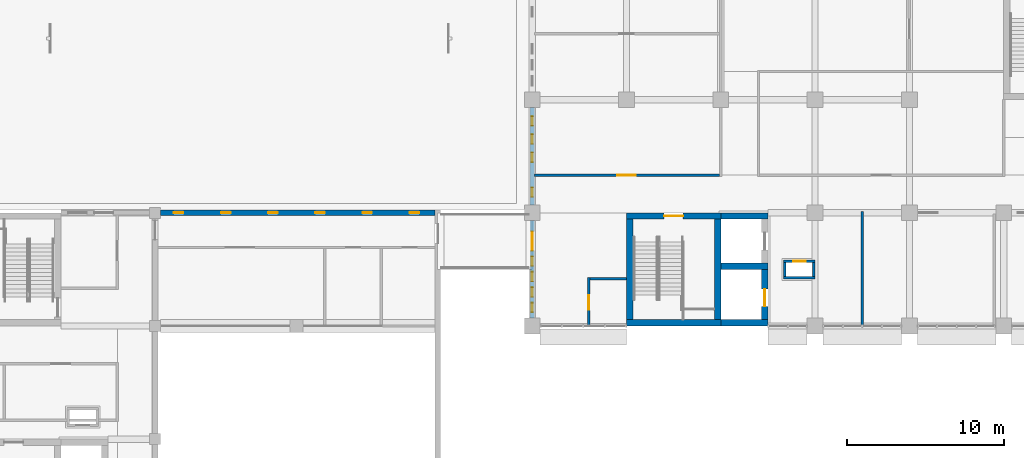
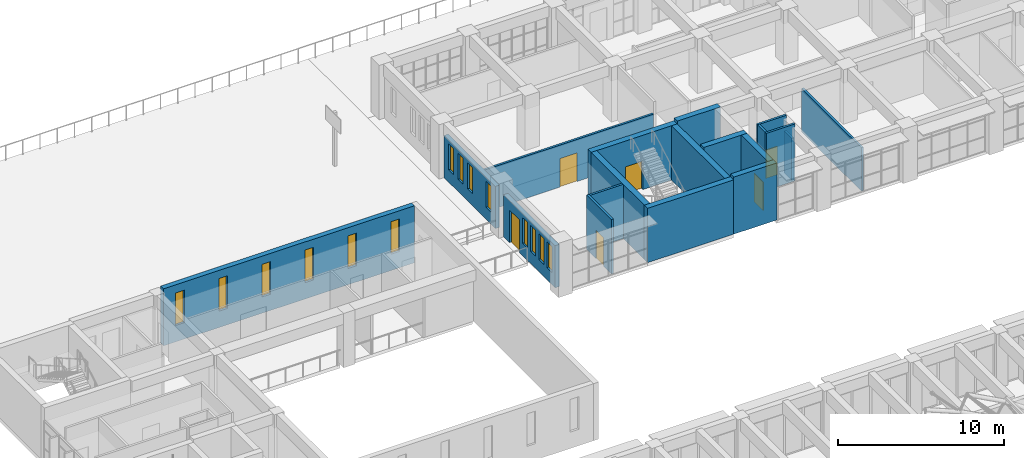
# One storey, part 73 of 101: 19 walls, 14 windows, 6 doors, 20 openings.
"""IFC4 building model written with IfcOpenShell, lengths in metres."""

from ifc_helpers import new_model, si_unit, direction, frame, frame_2d, origin, place, context, subcontext, project, spatial, rectangle, extrude, material, layer, layer_set, type_object, element, fill, save


model = new_model("IFC4")

# Units and contexts
model_context = context("Model", 3, precision=1e-05, world=origin(), true_north=direction((0.0, 1.0)))
body_context = subcontext(model_context, "Body", "Model", "MODEL_VIEW")
ifc_project = project(units=[si_unit("LENGTHUNIT", "METRE"), si_unit("AREAUNIT", "SQUARE_METRE"), si_unit("VOLUMEUNIT", "CUBIC_METRE"), si_unit("PLANEANGLEUNIT", "RADIAN"), si_unit("MASSUNIT", "GRAM", prefix="KILO")], contexts=[model_context])

# Site, building, storey
site_placement = place(None, origin())
site = spatial("IfcSite", under=ifc_project, at=site_placement, CompositionType="ELEMENT")
building_placement = place(site_placement, origin())
building = spatial("IfcBuilding", under=site, at=building_placement, Name="Laocheng Heights Fire and Rescue Headquarters", CompositionType="ELEMENT")
storey_placement = place(building_placement, frame((0.0, 0.0, 8.39990234375)))
storey = spatial("IfcBuildingStorey", under=building, at=storey_placement, Name="L02", CompositionType="ELEMENT", Elevation=8.39990234375)

# Wall, opening, door
ifc_material_1 = material(Name="Gypsum plaster")
ifc_layer_1 = layer(ifc_material_1, 0.010009765625, Name="PLASTER", Category="plaster")
ifc_material_2 = material(Name="Concrete blockwork MU10", Category="masonry")
ifc_layer_2 = layer(ifc_material_2, 0.1298828125, Name="BLOCKWORK", Category="masonry")
ifc_layer_3 = layer(ifc_material_1, 0.010009765625, Name="PLASTER", Category="plaster")
ifc_layer_set_1 = layer_set([ifc_layer_1, ifc_layer_2, ifc_layer_3], Name="Concrete blockwork MU10")
wall_type_1 = type_object("IfcWallType", Name="BLOCKWORK CORRIDOR WALL 150 EI 60 HQ WING", PredefinedType="PARTITIONING", material=ifc_layer_set_1)
wall_1_placement = place(storey_placement, frame((39.60009765625, 50.47509765625, 0.0), z_axis=(0.0, 0.0, 1.0), x_axis=(0.0, 1.0, 0.0)))
wall_1 = element("IfcWall", 1, at=wall_1_placement, inside=storey, type_object=wall_type_1, Name="Partition L02-001", PredefinedType="PARTITIONING", context=body_context, shape_type="SweptSolid", body=[
    extrude(rectangle(XDim=3.0, YDim=0.14990234375, at=frame_2d((1.5, 0.0))), origin(), (0.0, 0.0, 1.0), 4.0),
])
opening_1_placement = place(wall_1_placement, frame((0.97509765625, 0.0, 0.0)))
opening_1 = element("IfcOpeningElement", 2, at=opening_1_placement, cuts=wall_1, Name="Opening L02-Y01", PredefinedType="OPENING", context=body_context, shape_type="SweptSolid", body=[
    extrude(rectangle(XDim=0.89990234375, YDim=2.10009765625, at=frame_2d((0.449951171875, 1.050048828125))), frame((0.0, 0.0849609375, 0.0), z_axis=(0.0, -1.0, 0.0), x_axis=(1.0, 0.0, 0.0)), (0.0, 0.0, 1.0), 0.169921875),
])
ifc_material_3 = material(Name="Timber door leaf, veneered", Category="wood")
door_type_1 = type_object("IfcDoorType", Name="TIMBER DOOR 900x2100 EI 30 HQ WING", OperationType="SINGLE_SWING_LEFT", PredefinedType="DOOR", material=ifc_material_3)
door_1_placement = place(opening_1_placement, frame((0.89990234375, 0.0, 0.0), z_axis=(0.0, 0.0, 1.0), x_axis=(-1.0, 0.0, 0.0)))
door_1 = element("IfcDoor", 3, at=door_1_placement, inside=storey, type_object=door_type_1, Name="Door L02-Y01", OperationType="SINGLE_SWING_LEFT", OverallHeight=2.10009765625, OverallWidth=0.89990234375, PredefinedType="DOOR", context=body_context, shape_type="SweptSolid", body=[
    extrude(rectangle(XDim=0.89990234375, YDim=2.10009765625, at=frame_2d((0.449951171875, 1.050048828125))), frame((0.0, 0.02490234375, 0.0), z_axis=(0.0, -1.0, 0.0), x_axis=(1.0, 0.0, 0.0)), (0.0, 0.0, 1.0), 0.050048828125),
])
fill(opening_1, door_1)

# Walls
wall_2_placement = place(storey_placement, frame((57.0, 50.47509765625, 0.0), z_axis=(0.0, 0.0, 1.0), x_axis=(0.0, 1.0, 0.0)))
element("IfcWall", 4, at=wall_2_placement, inside=storey, type_object=wall_type_1, Name="Partition L02-005", PredefinedType="PARTITIONING", context=body_context, shape_type="SweptSolid", body=[
    extrude(rectangle(XDim=7.199951171875, YDim=0.14990234375, at=frame_2d((3.60009765625, 0.0))), origin(), (0.0, 0.0, 1.0), 3.2001953125),
])
wall_3_placement = place(storey_placement, frame((39.675048828125, 53.39990234375, 0.0), z_axis=(0.0, 0.0, 1.0), x_axis=(1.0, 0.0, 0.0)))
element("IfcWall", 5, at=wall_3_placement, inside=storey, type_object=wall_type_1, Name="Partition L02-014", PredefinedType="PARTITIONING", context=body_context, shape_type="SweptSolid", body=[
    extrude(rectangle(XDim=2.324951171875, YDim=0.14990234375, at=frame_2d((1.16259765625, 0.0))), origin(), (0.0, 0.0, 1.0), 4.0),
])

# Wall, opening, door
wall_4_placement = place(storey_placement, frame((36.14990234375, 60.0, 0.0), z_axis=(0.0, 0.0, 1.0), x_axis=(1.0, 0.0, 0.0)))
wall_4 = element("IfcWall", 6, at=wall_4_placement, inside=storey, type_object=wall_type_1, Name="Partition L02-016", PredefinedType="PARTITIONING", context=body_context, shape_type="SweptSolid", body=[
    extrude(rectangle(XDim=11.775146484375, YDim=0.14990234375, at=frame_2d((5.8876953125, 0.0))), origin(), (0.0, 0.0, 1.0), 3.10009765625),
])
opening_2_placement = place(wall_4_placement, frame((5.25, 0.0, 0.0)))
opening_2 = element("IfcOpeningElement", 7, at=opening_2_placement, cuts=wall_4, Name="Opening L02-Y08", PredefinedType="OPENING", context=body_context, shape_type="SweptSolid", body=[
    extrude(rectangle(XDim=1.199951171875, YDim=2.10009765625, at=frame_2d((0.60009765625, 1.050048828125))), frame((0.0, 0.0849609375, 0.0), z_axis=(0.0, -1.0, 0.0), x_axis=(1.0, 0.0, 0.0)), (0.0, 0.0, 1.0), 0.169921875),
])
ifc_material_4 = material(Name="Timber door leaf, veneered", Category="wood")
door_type_2 = type_object("IfcDoorType", Name="TIMBER DOOR 1200x2100 EI 30 HQ WING", OperationType="SINGLE_SWING_LEFT", PredefinedType="DOOR", material=ifc_material_4)
door_2_placement = place(opening_2_placement, origin())
door_2 = element("IfcDoor", 8, at=door_2_placement, inside=storey, type_object=door_type_2, Name="Door L02-Y08", OperationType="SINGLE_SWING_LEFT", OverallHeight=2.10009765625, OverallWidth=1.199951171875, PredefinedType="DOOR", context=body_context, shape_type="SweptSolid", body=[
    extrude(rectangle(XDim=1.199951171875, YDim=2.10009765625, at=frame_2d((0.60009765625, 1.050048828125))), frame((0.0, 0.02490234375, 0.0), z_axis=(0.0, -1.0, 0.0), x_axis=(1.0, 0.0, 0.0)), (0.0, 0.0, 1.0), 0.050048828125),
])
fill(opening_2, door_2)

# Wall, openings, door, windows
ifc_material_5 = material(Name="Precast concrete C40/50", Category="concrete")
ifc_layer_4 = layer(ifc_material_5, 0.300048828125)
ifc_layer_set_2 = layer_set([ifc_layer_4], Name="Precast concrete C40/50")
wall_type_2 = type_object("IfcWallType", Name="PRECAST WALL PANEL 300", PredefinedType="SOLIDWALL", material=ifc_layer_set_2)
wall_5_placement = place(storey_placement, frame((36.0, 50.89990234375, 0.0), z_axis=(0.0, 0.0, 1.0), x_axis=(0.0, 1.0, 0.0)))
wall_5 = element("IfcWall", 9, at=wall_5_placement, inside=storey, type_object=wall_type_2, Name="PRECAST WALL PANEL HQ WEST L02", PredefinedType="SOLIDWALL", context=body_context, shape_type="SweptSolid", body=[
    extrude(rectangle(XDim=6.2001953125, YDim=0.300048828125, at=frame_2d((3.10009765625, 0.0))), origin(), (0.0, 0.0, 1.0), 3.10009765625),
])
opening_3_placement = place(wall_5_placement, frame((4.300048828125, 0.0, 0.0)))
opening_3 = element("IfcOpeningElement", 10, at=opening_3_placement, cuts=wall_5, Name="Opening L02-X04", PredefinedType="OPENING", context=body_context, shape_type="SweptSolid", body=[
    extrude(rectangle(XDim=1.199951171875, YDim=2.39990234375, at=frame_2d((0.60009765625, 1.199951171875))), frame((0.0, 0.159912109375, 0.0), z_axis=(0.0, -1.0, 0.0), x_axis=(1.0, 0.0, 0.0)), (0.0, 0.0, 1.0), 0.320068359375),
])
opening_4_placement = place(wall_5_placement, frame((0.3798828125, 0.0, 0.89990234375)))
opening_4 = element("IfcOpeningElement", 11, at=opening_4_placement, cuts=wall_5, Name="Opening N1-X", PredefinedType="OPENING", context=body_context, shape_type="SweptSolid", body=[
    extrude(rectangle(XDim=0.60009765625, YDim=1.89990234375, at=frame_2d((0.300048828125, 0.949951171875))), frame((0.0, 0.159912109375, 0.0), z_axis=(0.0, -1.0, 0.0), x_axis=(1.0, 0.0, 0.0)), (0.0, 0.0, 1.0), 0.320068359375),
])
opening_5_placement = place(wall_5_placement, frame((1.360107421875, 0.0, 0.89990234375)))
opening_5 = element("IfcOpeningElement", 12, at=opening_5_placement, cuts=wall_5, Name="Opening N1-X", PredefinedType="OPENING", context=body_context, shape_type="SweptSolid", body=[
    extrude(rectangle(XDim=0.60009765625, YDim=1.89990234375, at=frame_2d((0.300048828125, 0.949951171875))), frame((0.0, 0.159912109375, 0.0), z_axis=(0.0, -1.0, 0.0), x_axis=(1.0, 0.0, 0.0)), (0.0, 0.0, 1.0), 0.320068359375),
])
opening_6_placement = place(wall_5_placement, frame((2.340087890625, 0.0, 0.89990234375)))
opening_6 = element("IfcOpeningElement", 13, at=opening_6_placement, cuts=wall_5, Name="Opening N1-X", PredefinedType="OPENING", context=body_context, shape_type="SweptSolid", body=[
    extrude(rectangle(XDim=0.60009765625, YDim=1.89990234375, at=frame_2d((0.300048828125, 0.949951171875))), frame((0.0, 0.159912109375, 0.0), z_axis=(0.0, -1.0, 0.0), x_axis=(1.0, 0.0, 0.0)), (0.0, 0.0, 1.0), 0.320068359375),
])
opening_7_placement = place(wall_5_placement, frame((3.320068359375, 0.0, 0.89990234375)))
opening_7 = element("IfcOpeningElement", 14, at=opening_7_placement, cuts=wall_5, Name="Opening N1-X", PredefinedType="OPENING", context=body_context, shape_type="SweptSolid", body=[
    extrude(rectangle(XDim=0.60009765625, YDim=1.89990234375, at=frame_2d((0.300048828125, 0.949951171875))), frame((0.0, 0.159912109375, 0.0), z_axis=(0.0, -1.0, 0.0), x_axis=(1.0, 0.0, 0.0)), (0.0, 0.0, 1.0), 0.320068359375),
])
ifc_material_6 = material(Name="Dark anodised aluminium framed glazed door, low-e glazing", Category="aluminium")
door_type_3 = type_object("IfcDoorType", Name="HQ BRIDGE DOOR 1200 x 2400", OperationType="SINGLE_SWING_LEFT", PredefinedType="DOOR", material=ifc_material_6)
door_3_placement = place(opening_3_placement, origin())
door_3 = element("IfcDoor", 15, at=door_3_placement, inside=storey, type_object=door_type_3, Name="HQ BRIDGE DOOR HQ WEST L02", OperationType="SINGLE_SWING_RIGHT", OverallHeight=2.39990234375, OverallWidth=1.199951171875, PredefinedType="DOOR", context=body_context, shape_type="SweptSolid", body=[
    extrude(rectangle(XDim=1.199951171875, YDim=2.39990234375, at=frame_2d((0.60009765625, 1.199951171875))), frame((0.0, 0.02490234375, 0.0), z_axis=(0.0, -1.0, 0.0), x_axis=(1.0, 0.0, 0.0)), (0.0, 0.0, 1.0), 0.050048828125),
])
fill(opening_3, door_3)
ifc_material_7 = material(Name="Low-e double glazing in aluminium frame", Category="aluminium")
window_type_1 = type_object("IfcWindowType", Name="WINDOW 600 x 1900 HQ END SLOT", PartitioningType="SINGLE_PANEL", PredefinedType="WINDOW", material=ifc_material_7)
window_1_placement = place(opening_4_placement, origin())
window_1 = element("IfcWindow", 16, at=window_1_placement, inside=storey, type_object=window_type_1, Name="HQ END SLOT HQ WEST L02", OverallHeight=1.89990234375, OverallWidth=0.60009765625, PartitioningType="SINGLE_PANEL", PredefinedType="WINDOW", context=body_context, shape_type="SweptSolid", body=[
    extrude(rectangle(XDim=0.60009765625, YDim=1.89990234375, at=frame_2d((0.300048828125, 0.949951171875))), frame((0.0, 0.030029296875, 0.0), z_axis=(0.0, -1.0, 0.0), x_axis=(1.0, 0.0, 0.0)), (0.0, 0.0, 1.0), 0.06005859375),
])
fill(opening_4, window_1)
window_2_placement = place(opening_5_placement, origin())
window_2 = element("IfcWindow", 17, at=window_2_placement, inside=storey, type_object=window_type_1, Name="HQ END SLOT HQ WEST L02", OverallHeight=1.89990234375, OverallWidth=0.60009765625, PartitioningType="SINGLE_PANEL", PredefinedType="WINDOW", context=body_context, shape_type="SweptSolid", body=[
    extrude(rectangle(XDim=0.60009765625, YDim=1.89990234375, at=frame_2d((0.300048828125, 0.949951171875))), frame((0.0, 0.030029296875, 0.0), z_axis=(0.0, -1.0, 0.0), x_axis=(1.0, 0.0, 0.0)), (0.0, 0.0, 1.0), 0.06005859375),
])
fill(opening_5, window_2)
window_3_placement = place(opening_6_placement, origin())
window_3 = element("IfcWindow", 18, at=window_3_placement, inside=storey, type_object=window_type_1, Name="HQ END SLOT HQ WEST L02", OverallHeight=1.89990234375, OverallWidth=0.60009765625, PartitioningType="SINGLE_PANEL", PredefinedType="WINDOW", context=body_context, shape_type="SweptSolid", body=[
    extrude(rectangle(XDim=0.60009765625, YDim=1.89990234375, at=frame_2d((0.300048828125, 0.949951171875))), frame((0.0, 0.030029296875, 0.0), z_axis=(0.0, -1.0, 0.0), x_axis=(1.0, 0.0, 0.0)), (0.0, 0.0, 1.0), 0.06005859375),
])
fill(opening_6, window_3)
window_4_placement = place(opening_7_placement, origin())
window_4 = element("IfcWindow", 19, at=window_4_placement, inside=storey, type_object=window_type_1, Name="HQ END SLOT HQ WEST L02", OverallHeight=1.89990234375, OverallWidth=0.60009765625, PartitioningType="SINGLE_PANEL", PredefinedType="WINDOW", context=body_context, shape_type="SweptSolid", body=[
    extrude(rectangle(XDim=0.60009765625, YDim=1.89990234375, at=frame_2d((0.300048828125, 0.949951171875))), frame((0.0, 0.030029296875, 0.0), z_axis=(0.0, -1.0, 0.0), x_axis=(1.0, 0.0, 0.0)), (0.0, 0.0, 1.0), 0.06005859375),
])
fill(opening_7, window_4)

# Wall, openings, windows
wall_6_placement = place(storey_placement, frame((36.0, 58.10009765625, 0.0), z_axis=(0.0, 0.0, 1.0), x_axis=(0.0, 1.0, 0.0)))
wall_6 = element("IfcWall", 20, at=wall_6_placement, inside=storey, type_object=wall_type_2, Name="PRECAST WALL PANEL HQ WEST L02", PredefinedType="SOLIDWALL", context=body_context, shape_type="SweptSolid", body=[
    extrude(rectangle(XDim=6.199951171875, YDim=0.300048828125, at=frame_2d((3.10009765625, 0.0))), origin(), (0.0, 0.0, 1.0), 3.10009765625),
])
opening_8_placement = place(wall_6_placement, frame((0.510009765625, 0.0, 0.89990234375)))
opening_8 = element("IfcOpeningElement", 21, at=opening_8_placement, cuts=wall_6, Name="Opening N1-X", PredefinedType="OPENING", context=body_context, shape_type="SweptSolid", body=[
    extrude(rectangle(XDim=0.60009765625, YDim=1.89990234375, at=frame_2d((0.300048828125, 0.949951171875))), frame((0.0, 0.159912109375, 0.0), z_axis=(0.0, -1.0, 0.0), x_axis=(1.0, 0.0, 0.0)), (0.0, 0.0, 1.0), 0.320068359375),
])
opening_9_placement = place(wall_6_placement, frame((2.735107421875, 0.0, 0.89990234375)))
opening_9 = element("IfcOpeningElement", 22, at=opening_9_placement, cuts=wall_6, Name="Opening N1-X", PredefinedType="OPENING", context=body_context, shape_type="SweptSolid", body=[
    extrude(rectangle(XDim=0.60009765625, YDim=1.89990234375, at=frame_2d((0.300048828125, 0.949951171875))), frame((0.0, 0.159912109375, 0.0), z_axis=(0.0, -1.0, 0.0), x_axis=(1.0, 0.0, 0.0)), (0.0, 0.0, 1.0), 0.320068359375),
])
opening_10_placement = place(wall_6_placement, frame((3.889892578125, 0.0, 0.89990234375)))
opening_10 = element("IfcOpeningElement", 23, at=opening_10_placement, cuts=wall_6, Name="Opening N1-X", PredefinedType="OPENING", context=body_context, shape_type="SweptSolid", body=[
    extrude(rectangle(XDim=0.60009765625, YDim=1.89990234375, at=frame_2d((0.300048828125, 0.949951171875))), frame((0.0, 0.159912109375, 0.0), z_axis=(0.0, -1.0, 0.0), x_axis=(1.0, 0.0, 0.0)), (0.0, 0.0, 1.0), 0.320068359375),
])
opening_11_placement = place(wall_6_placement, frame((5.044921875, 0.0, 0.89990234375)))
opening_11 = element("IfcOpeningElement", 24, at=opening_11_placement, cuts=wall_6, Name="Opening N1-X", PredefinedType="OPENING", context=body_context, shape_type="SweptSolid", body=[
    extrude(rectangle(XDim=0.60009765625, YDim=1.89990234375, at=frame_2d((0.300048828125, 0.949951171875))), frame((0.0, 0.159912109375, 0.0), z_axis=(0.0, -1.0, 0.0), x_axis=(1.0, 0.0, 0.0)), (0.0, 0.0, 1.0), 0.320068359375),
])
window_5_placement = place(opening_8_placement, origin())
window_5 = element("IfcWindow", 25, at=window_5_placement, inside=storey, type_object=window_type_1, Name="HQ END SLOT HQ WEST L02", OverallHeight=1.89990234375, OverallWidth=0.60009765625, PartitioningType="SINGLE_PANEL", PredefinedType="WINDOW", context=body_context, shape_type="SweptSolid", body=[
    extrude(rectangle(XDim=0.60009765625, YDim=1.89990234375, at=frame_2d((0.300048828125, 0.949951171875))), frame((0.0, 0.030029296875, 0.0), z_axis=(0.0, -1.0, 0.0), x_axis=(1.0, 0.0, 0.0)), (0.0, 0.0, 1.0), 0.06005859375),
])
fill(opening_8, window_5)
window_6_placement = place(opening_9_placement, origin())
window_6 = element("IfcWindow", 26, at=window_6_placement, inside=storey, type_object=window_type_1, Name="HQ END SLOT HQ WEST L02", OverallHeight=1.89990234375, OverallWidth=0.60009765625, PartitioningType="SINGLE_PANEL", PredefinedType="WINDOW", context=body_context, shape_type="SweptSolid", body=[
    extrude(rectangle(XDim=0.60009765625, YDim=1.89990234375, at=frame_2d((0.300048828125, 0.949951171875))), frame((0.0, 0.030029296875, 0.0), z_axis=(0.0, -1.0, 0.0), x_axis=(1.0, 0.0, 0.0)), (0.0, 0.0, 1.0), 0.06005859375),
])
fill(opening_9, window_6)
window_7_placement = place(opening_10_placement, origin())
window_7 = element("IfcWindow", 27, at=window_7_placement, inside=storey, type_object=window_type_1, Name="HQ END SLOT HQ WEST L02", OverallHeight=1.89990234375, OverallWidth=0.60009765625, PartitioningType="SINGLE_PANEL", PredefinedType="WINDOW", context=body_context, shape_type="SweptSolid", body=[
    extrude(rectangle(XDim=0.60009765625, YDim=1.89990234375, at=frame_2d((0.300048828125, 0.949951171875))), frame((0.0, 0.030029296875, 0.0), z_axis=(0.0, -1.0, 0.0), x_axis=(1.0, 0.0, 0.0)), (0.0, 0.0, 1.0), 0.06005859375),
])
fill(opening_10, window_7)
window_8_placement = place(opening_11_placement, origin())
window_8 = element("IfcWindow", 28, at=window_8_placement, inside=storey, type_object=window_type_1, Name="HQ END SLOT HQ WEST L02", OverallHeight=1.89990234375, OverallWidth=0.60009765625, PartitioningType="SINGLE_PANEL", PredefinedType="WINDOW", context=body_context, shape_type="SweptSolid", body=[
    extrude(rectangle(XDim=0.60009765625, YDim=1.89990234375, at=frame_2d((0.300048828125, 0.949951171875))), frame((0.0, 0.030029296875, 0.0), z_axis=(0.0, -1.0, 0.0), x_axis=(1.0, 0.0, 0.0)), (0.0, 0.0, 1.0), 0.06005859375),
])
fill(opening_11, window_8)

# Walls
ifc_material_8 = material(Name="Concrete C50", Category="concrete")
ifc_layer_5 = layer(ifc_material_8, 0.39990234375)
ifc_layer_set_3 = layer_set([ifc_layer_5], Name="Concrete C50")
wall_type_3 = type_object("IfcWallType", Name="RC LIFT SHAFT WALL 400", PredefinedType="SHEAR", material=ifc_layer_set_3)
for number, where, z_axis, x_axis, name in (
    (29, (48.0, 54.199951171875, 0.0), (0.0, 0.0, 1.0), (1.0, 0.0, 0.0), "Lift shaft wall"),
    (30, (48.0, 57.39990234375, 0.0), (0.0, 0.0, 1.0), (1.0, 0.0, 0.0), "Lift shaft wall"),
    (31, (48.0, 50.60009765625, 0.0), (0.0, 0.0, 1.0), (1.0, 0.0, 0.0), "Lift shaft wall"),
):
    element("IfcWall", number, at=place(storey_placement, frame(where, z_axis=z_axis, x_axis=x_axis)), inside=storey, type_object=wall_type_3, Name=name, PredefinedType="SHEAR", context=body_context, shape_type="SweptSolid", body=[
        extrude(rectangle(XDim=3.0, YDim=0.39990234375, at=frame_2d((1.5, 0.0))), origin(), (0.0, 0.0, 1.0), 4.2001953125),
    ])

# Wall, opening, door
wall_7_placement = place(storey_placement, frame((50.800048828125, 50.800048828125, 0.0), z_axis=(0.0, 0.0, 1.0), x_axis=(0.0, 1.0, 0.0)))
wall_7 = element("IfcWall", 32, at=wall_7_placement, inside=storey, type_object=wall_type_3, Name="Lift shaft wall", PredefinedType="SHEAR", context=body_context, shape_type="SweptSolid", body=[
    extrude(rectangle(XDim=3.199951171875, YDim=0.39990234375, at=frame_2d((1.60009765625, 0.0))), origin(), (0.0, 0.0, 1.0), 4.2001953125),
])
opening_12_placement = place(wall_7_placement, frame((0.85009765625, 0.0, 0.0)))
opening_12 = element("IfcOpeningElement", 33, at=opening_12_placement, cuts=wall_7, Name="Opening L02-K23", PredefinedType="OPENING", context=body_context, shape_type="SweptSolid", body=[
    extrude(rectangle(XDim=1.10009765625, YDim=2.10009765625, at=frame_2d((0.550048828125, 1.050048828125))), frame((0.0, 0.2099609375, 0.0), z_axis=(0.0, -1.0, 0.0), x_axis=(1.0, 0.0, 0.0)), (0.0, 0.0, 1.0), 0.419921875),
])
ifc_material_9 = material(Name="Stainless steel", Category="steel")
door_type_4 = type_object("IfcDoorType", Name="LANDING DOOR H-L3 SLIDING 1100x2100 E 120", OperationType="DOUBLE_DOOR_SLIDING", PredefinedType="DOOR", material=ifc_material_9)
door_4_placement = place(opening_12_placement, origin())
door_4 = element("IfcDoor", 34, at=door_4_placement, inside=storey, type_object=door_type_4, Name="Landing door H-L3", OperationType="DOUBLE_DOOR_SLIDING", OverallHeight=2.10009765625, OverallWidth=1.10009765625, PredefinedType="DOOR", context=body_context, shape_type="SweptSolid", body=[
    extrude(rectangle(XDim=1.10009765625, YDim=2.10009765625, at=frame_2d((0.550048828125, 1.050048828125))), frame((0.0, 0.02490234375, 0.0), z_axis=(0.0, -1.0, 0.0), x_axis=(1.0, 0.0, 0.0)), (0.0, 0.0, 1.0), 0.050048828125),
])
fill(opening_12, door_4)

# Wall, openings, windows
ifc_material_10 = material(Name="Concrete C40", Category="concrete")
ifc_layer_6 = layer(ifc_material_10, 0.35009765625)
ifc_layer_set_4 = layer_set([ifc_layer_6], Name="Concrete C40")
wall_type_4 = type_object("IfcWallType", Name="RC SHEAR WALL 350 THEATRE", PredefinedType="SHEAR", material=ifc_layer_set_4)
wall_8_placement = place(storey_placement, frame((12.35009765625, 57.60009765625, 0.0), z_axis=(0.0, 0.0, 1.0), x_axis=(1.0, 0.0, 0.0)))
wall_8 = element("IfcWall", 35, at=wall_8_placement, inside=storey, type_object=wall_type_4, Name="Theatre gable wall L02", PredefinedType="SHEAR", context=body_context, shape_type="SweptSolid", body=[
    extrude(rectangle(XDim=17.474853515625, YDim=0.35009765625, at=frame_2d((8.7373046875, 0.0))), origin(), (0.0, 0.0, 1.0), 4.2001953125),
])
opening_13_placement = place(wall_8_placement, frame((0.85009765625, 0.0, 1.199951171875)))
opening_13 = element("IfcOpeningElement", 36, at=opening_13_placement, cuts=wall_8, Name="Opening N2-V", PredefinedType="OPENING", context=body_context, shape_type="SweptSolid", body=[
    extrude(rectangle(XDim=0.60009765625, YDim=2.39990234375, at=frame_2d((0.300048828125, 1.199951171875))), frame((0.0, 0.18505859375, 0.0), z_axis=(0.0, -1.0, 0.0), x_axis=(1.0, 0.0, 0.0)), (0.0, 0.0, 1.0), 0.3701171875),
])
opening_14_placement = place(wall_8_placement, frame((3.85009765625, 0.0, 1.199951171875)))
opening_14 = element("IfcOpeningElement", 37, at=opening_14_placement, cuts=wall_8, Name="Opening N2-V", PredefinedType="OPENING", context=body_context, shape_type="SweptSolid", body=[
    extrude(rectangle(XDim=0.60009765625, YDim=2.39990234375, at=frame_2d((0.300048828125, 1.199951171875))), frame((0.0, 0.18505859375, 0.0), z_axis=(0.0, -1.0, 0.0), x_axis=(1.0, 0.0, 0.0)), (0.0, 0.0, 1.0), 0.3701171875),
])
opening_15_placement = place(wall_8_placement, frame((6.85009765625, 0.0, 1.199951171875)))
opening_15 = element("IfcOpeningElement", 38, at=opening_15_placement, cuts=wall_8, Name="Opening N2-V", PredefinedType="OPENING", context=body_context, shape_type="SweptSolid", body=[
    extrude(rectangle(XDim=0.60009765625, YDim=2.39990234375, at=frame_2d((0.300048828125, 1.199951171875))), frame((0.0, 0.18505859375, 0.0), z_axis=(0.0, -1.0, 0.0), x_axis=(1.0, 0.0, 0.0)), (0.0, 0.0, 1.0), 0.3701171875),
])
opening_16_placement = place(wall_8_placement, frame((9.85009765625, 0.0, 1.199951171875)))
opening_16 = element("IfcOpeningElement", 39, at=opening_16_placement, cuts=wall_8, Name="Opening N2-V", PredefinedType="OPENING", context=body_context, shape_type="SweptSolid", body=[
    extrude(rectangle(XDim=0.60009765625, YDim=2.39990234375, at=frame_2d((0.300048828125, 1.199951171875))), frame((0.0, 0.18505859375, 0.0), z_axis=(0.0, -1.0, 0.0), x_axis=(1.0, 0.0, 0.0)), (0.0, 0.0, 1.0), 0.3701171875),
])
opening_17_placement = place(wall_8_placement, frame((12.85009765625, 0.0, 1.199951171875)))
opening_17 = element("IfcOpeningElement", 40, at=opening_17_placement, cuts=wall_8, Name="Opening N2-V", PredefinedType="OPENING", context=body_context, shape_type="SweptSolid", body=[
    extrude(rectangle(XDim=0.60009765625, YDim=2.39990234375, at=frame_2d((0.300048828125, 1.199951171875))), frame((0.0, 0.18505859375, 0.0), z_axis=(0.0, -1.0, 0.0), x_axis=(1.0, 0.0, 0.0)), (0.0, 0.0, 1.0), 0.3701171875),
])
opening_18_placement = place(wall_8_placement, frame((15.85009765625, 0.0, 1.199951171875)))
opening_18 = element("IfcOpeningElement", 41, at=opening_18_placement, cuts=wall_8, Name="Opening N2-V", PredefinedType="OPENING", context=body_context, shape_type="SweptSolid", body=[
    extrude(rectangle(XDim=0.60009765625, YDim=2.39990234375, at=frame_2d((0.300048828125, 1.199951171875))), frame((0.0, 0.18505859375, 0.0), z_axis=(0.0, -1.0, 0.0), x_axis=(1.0, 0.0, 0.0)), (0.0, 0.0, 1.0), 0.3701171875),
])
ifc_material_11 = material(Name="Low-e double glazing in aluminium frame", Category="aluminium")
window_type_2 = type_object("IfcWindowType", Name="WINDOW 600 x 2400 THEATRE SLOT", PartitioningType="SINGLE_PANEL", PredefinedType="WINDOW", material=ifc_material_11)
window_9_placement = place(opening_13_placement, origin())
window_9 = element("IfcWindow", 42, at=window_9_placement, inside=storey, type_object=window_type_2, Name="THEATRE SLOT L02", OverallHeight=2.39990234375, OverallWidth=0.60009765625, PartitioningType="SINGLE_PANEL", PredefinedType="WINDOW", context=body_context, shape_type="SweptSolid", body=[
    extrude(rectangle(XDim=0.60009765625, YDim=2.39990234375, at=frame_2d((0.300048828125, 1.199951171875))), frame((0.0, 0.030029296875, 0.0), z_axis=(0.0, -1.0, 0.0), x_axis=(1.0, 0.0, 0.0)), (0.0, 0.0, 1.0), 0.06005859375),
])
fill(opening_13, window_9)
window_10_placement = place(opening_14_placement, origin())
window_10 = element("IfcWindow", 43, at=window_10_placement, inside=storey, type_object=window_type_2, Name="THEATRE SLOT L02", OverallHeight=2.39990234375, OverallWidth=0.60009765625, PartitioningType="SINGLE_PANEL", PredefinedType="WINDOW", context=body_context, shape_type="SweptSolid", body=[
    extrude(rectangle(XDim=0.60009765625, YDim=2.39990234375, at=frame_2d((0.300048828125, 1.199951171875))), frame((0.0, 0.030029296875, 0.0), z_axis=(0.0, -1.0, 0.0), x_axis=(1.0, 0.0, 0.0)), (0.0, 0.0, 1.0), 0.06005859375),
])
fill(opening_14, window_10)
window_11_placement = place(opening_15_placement, origin())
window_11 = element("IfcWindow", 44, at=window_11_placement, inside=storey, type_object=window_type_2, Name="THEATRE SLOT L02", OverallHeight=2.39990234375, OverallWidth=0.60009765625, PartitioningType="SINGLE_PANEL", PredefinedType="WINDOW", context=body_context, shape_type="SweptSolid", body=[
    extrude(rectangle(XDim=0.60009765625, YDim=2.39990234375, at=frame_2d((0.300048828125, 1.199951171875))), frame((0.0, 0.030029296875, 0.0), z_axis=(0.0, -1.0, 0.0), x_axis=(1.0, 0.0, 0.0)), (0.0, 0.0, 1.0), 0.06005859375),
])
fill(opening_15, window_11)
window_12_placement = place(opening_16_placement, origin())
window_12 = element("IfcWindow", 45, at=window_12_placement, inside=storey, type_object=window_type_2, Name="THEATRE SLOT L02", OverallHeight=2.39990234375, OverallWidth=0.60009765625, PartitioningType="SINGLE_PANEL", PredefinedType="WINDOW", context=body_context, shape_type="SweptSolid", body=[
    extrude(rectangle(XDim=0.60009765625, YDim=2.39990234375, at=frame_2d((0.300048828125, 1.199951171875))), frame((0.0, 0.030029296875, 0.0), z_axis=(0.0, -1.0, 0.0), x_axis=(1.0, 0.0, 0.0)), (0.0, 0.0, 1.0), 0.06005859375),
])
fill(opening_16, window_12)
window_13_placement = place(opening_17_placement, origin())
window_13 = element("IfcWindow", 46, at=window_13_placement, inside=storey, type_object=window_type_2, Name="THEATRE SLOT L02", OverallHeight=2.39990234375, OverallWidth=0.60009765625, PartitioningType="SINGLE_PANEL", PredefinedType="WINDOW", context=body_context, shape_type="SweptSolid", body=[
    extrude(rectangle(XDim=0.60009765625, YDim=2.39990234375, at=frame_2d((0.300048828125, 1.199951171875))), frame((0.0, 0.030029296875, 0.0), z_axis=(0.0, -1.0, 0.0), x_axis=(1.0, 0.0, 0.0)), (0.0, 0.0, 1.0), 0.06005859375),
])
fill(opening_17, window_13)
window_14_placement = place(opening_18_placement, origin())
window_14 = element("IfcWindow", 47, at=window_14_placement, inside=storey, type_object=window_type_2, Name="THEATRE SLOT L02", OverallHeight=2.39990234375, OverallWidth=0.60009765625, PartitioningType="SINGLE_PANEL", PredefinedType="WINDOW", context=body_context, shape_type="SweptSolid", body=[
    extrude(rectangle(XDim=0.60009765625, YDim=2.39990234375, at=frame_2d((0.300048828125, 1.199951171875))), frame((0.0, 0.030029296875, 0.0), z_axis=(0.0, -1.0, 0.0), x_axis=(1.0, 0.0, 0.0)), (0.0, 0.0, 1.0), 0.06005859375),
])
fill(opening_18, window_14)

# Wall
ifc_material_12 = material(Name="Concrete C50", Category="concrete")
ifc_layer_7 = layer(ifc_material_12, 0.39990234375)
ifc_layer_set_5 = layer_set([ifc_layer_7], Name="Concrete C50")
wall_type_5 = type_object("IfcWallType", Name="RC STAIR ENCLOSURE WALL 400", PredefinedType="SHEAR", material=ifc_layer_set_5)
wall_9_placement = place(storey_placement, frame((42.0, 50.60009765625, 0.0), z_axis=(0.0, 0.0, 1.0), x_axis=(1.0, 0.0, 0.0)))
element("IfcWall", 48, at=wall_9_placement, inside=storey, type_object=wall_type_5, Name="Stair enclosure wall", PredefinedType="SHEAR", context=body_context, shape_type="SweptSolid", body=[
    extrude(rectangle(XDim=6.0, YDim=0.39990234375, at=frame_2d((3.0, 0.0))), origin(), (0.0, 0.0, 1.0), 4.0),
])

# Wall, opening, door
wall_10_placement = place(storey_placement, frame((42.0, 57.39990234375, 0.0), z_axis=(0.0, 0.0, 1.0), x_axis=(1.0, 0.0, 0.0)))
wall_10 = element("IfcWall", 49, at=wall_10_placement, inside=storey, type_object=wall_type_5, Name="Stair enclosure wall", PredefinedType="SHEAR", context=body_context, shape_type="SweptSolid", body=[
    extrude(rectangle(XDim=6.0, YDim=0.39990234375, at=frame_2d((3.0, 0.0))), origin(), (0.0, 0.0, 1.0), 4.0),
])
opening_19_placement = place(wall_10_placement, frame((2.39990234375, 0.0, 0.0)))
opening_19 = element("IfcOpeningElement", 50, at=opening_19_placement, cuts=wall_10, Name="Opening L02-K21", PredefinedType="OPENING", context=body_context, shape_type="SweptSolid", body=[
    extrude(rectangle(XDim=1.199951171875, YDim=2.10009765625, at=frame_2d((0.60009765625, 1.050048828125))), frame((0.0, 0.2099609375, 0.0), z_axis=(0.0, -1.0, 0.0), x_axis=(1.0, 0.0, 0.0)), (0.0, 0.0, 1.0), 0.419921875),
])
ifc_material_13 = material(Name="Painted steel", Category="steel")
door_type_5 = type_object("IfcDoorType", Name="FIRE DOOR 1200x2100 EI 60", OperationType="SINGLE_SWING_LEFT", PredefinedType="DOOR", material=ifc_material_13)
door_5_placement = place(opening_19_placement, frame((1.199951171875, 0.0, 0.0), z_axis=(0.0, 0.0, 1.0), x_axis=(-1.0, 0.0, 0.0)))
door_5 = element("IfcDoor", 51, at=door_5_placement, inside=storey, type_object=door_type_5, Name="Stair H1 door", OperationType="SINGLE_SWING_RIGHT", OverallHeight=2.10009765625, OverallWidth=1.199951171875, PredefinedType="DOOR", context=body_context, shape_type="SweptSolid", body=[
    extrude(rectangle(XDim=1.199951171875, YDim=2.10009765625, at=frame_2d((0.60009765625, 1.050048828125))), frame((0.0, 0.02490234375, 0.0), z_axis=(0.0, -1.0, 0.0), x_axis=(1.0, 0.0, 0.0)), (0.0, 0.0, 1.0), 0.050048828125),
])
fill(opening_19, door_5)

# Walls
for number, where, z_axis, x_axis, name in (
    (52, (42.199951171875, 50.800048828125, 0.0), (0.0, 0.0, 1.0), (0.0, 1.0, 0.0), "Stair enclosure wall"),
    (53, (47.800048828125, 50.800048828125, 0.0), (0.0, 0.0, 1.0), (0.0, 1.0, 0.0), "Stair enclosure wall"),
):
    element("IfcWall", number, at=place(storey_placement, frame(where, z_axis=z_axis, x_axis=x_axis)), inside=storey, type_object=wall_type_5, Name=name, PredefinedType="SHEAR", context=body_context, shape_type="SweptSolid", body=[
        extrude(rectangle(XDim=6.39990234375, YDim=0.39990234375, at=frame_2d((3.199951171875, 0.0))), origin(), (0.0, 0.0, 1.0), 4.0),
    ])
ifc_material_14 = material(Name="Concrete C30", Category="concrete")
ifc_layer_8 = layer(ifc_material_14, 0.14990234375)
ifc_layer_set_6 = layer_set([ifc_layer_8], Name="Concrete C30")
wall_type_6 = type_object("IfcWallType", Name="RISER SHAFT WALL 150", PredefinedType="SOLIDWALL", material=ifc_layer_set_6)
wall_11_placement = place(storey_placement, frame((52.0, 53.47509765625, 0.0), z_axis=(0.0, 0.0, 1.0), x_axis=(1.0, 0.0, 0.0)))
element("IfcWall", 54, at=wall_11_placement, inside=storey, type_object=wall_type_6, Name="Riser shaft wall", PredefinedType="SOLIDWALL", context=body_context, shape_type="SweptSolid", body=[
    extrude(rectangle(XDim=2.0, YDim=0.14990234375, at=frame_2d((1.0, 0.0))), origin(), (0.0, 0.0, 1.0), 4.2001953125),
])

# Wall, opening, door
wall_12_placement = place(storey_placement, frame((52.0, 54.52490234375, 0.0), z_axis=(0.0, 0.0, 1.0), x_axis=(1.0, 0.0, 0.0)))
wall_12 = element("IfcWall", 55, at=wall_12_placement, inside=storey, type_object=wall_type_6, Name="Riser shaft wall", PredefinedType="SOLIDWALL", context=body_context, shape_type="SweptSolid", body=[
    extrude(rectangle(XDim=2.0, YDim=0.14990234375, at=frame_2d((1.0, 0.0))), origin(), (0.0, 0.0, 1.0), 4.2001953125),
])
opening_20_placement = place(wall_12_placement, frame((0.60009765625, 0.0, 0.0)))
opening_20 = element("IfcOpeningElement", 56, at=opening_20_placement, cuts=wall_12, Name="Opening L02-K24", PredefinedType="OPENING", context=body_context, shape_type="SweptSolid", body=[
    extrude(rectangle(XDim=0.800048828125, YDim=2.10009765625, at=frame_2d((0.39990234375, 1.050048828125))), frame((0.0, 0.0849609375, 0.0), z_axis=(0.0, -1.0, 0.0), x_axis=(1.0, 0.0, 0.0)), (0.0, 0.0, 1.0), 0.169921875),
])
ifc_material_15 = material(Name="Painted steel", Category="steel")
door_type_6 = type_object("IfcDoorType", Name="RISER ACCESS DOOR 800x2100 EI 30", OperationType="SINGLE_SWING_LEFT", PredefinedType="DOOR", material=ifc_material_15)
door_6_placement = place(opening_20_placement, origin())
door_6 = element("IfcDoor", 57, at=door_6_placement, inside=storey, type_object=door_type_6, Name="Riser RH1 access door", OperationType="SINGLE_SWING_LEFT", OverallHeight=2.10009765625, OverallWidth=0.800048828125, PredefinedType="DOOR", context=body_context, shape_type="SweptSolid", body=[
    extrude(rectangle(XDim=0.800048828125, YDim=2.10009765625, at=frame_2d((0.39990234375, 1.050048828125))), frame((0.0, 0.02490234375, 0.0), z_axis=(0.0, -1.0, 0.0), x_axis=(1.0, 0.0, 0.0)), (0.0, 0.0, 1.0), 0.050048828125),
])
fill(opening_20, door_6)

# Walls
wall_13_placement = place(storey_placement, frame((52.074951171875, 53.550048828125, 0.0), z_axis=(0.0, 0.0, 1.0), x_axis=(0.0, 1.0, 0.0)))
element("IfcWall", 58, at=wall_13_placement, inside=storey, type_object=wall_type_6, Name="Riser shaft wall", PredefinedType="SOLIDWALL", context=body_context, shape_type="SweptSolid", body=[
    extrude(rectangle(XDim=0.89990234375, YDim=0.14990234375, at=frame_2d((0.449951171875, 0.0))), origin(), (0.0, 0.0, 1.0), 4.2001953125),
])
wall_14_placement = place(storey_placement, frame((53.925048828125, 53.550048828125, 0.0), z_axis=(0.0, 0.0, 1.0), x_axis=(0.0, 1.0, 0.0)))
element("IfcWall", 59, at=wall_14_placement, inside=storey, type_object=wall_type_6, Name="Riser shaft wall", PredefinedType="SOLIDWALL", context=body_context, shape_type="SweptSolid", body=[
    extrude(rectangle(XDim=0.89990234375, YDim=0.14990234375, at=frame_2d((0.449951171875, 0.0))), origin(), (0.0, 0.0, 1.0), 3.10009765625),
])

save(model, "model.ifc")
